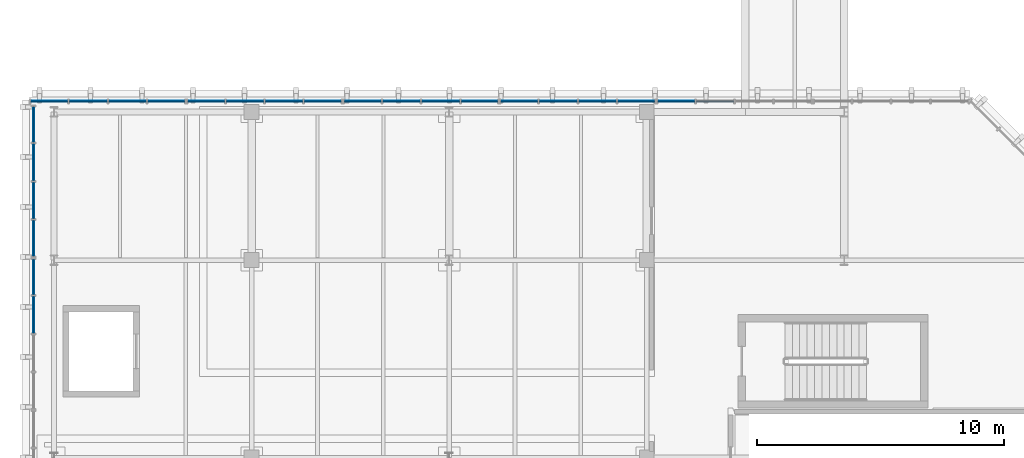
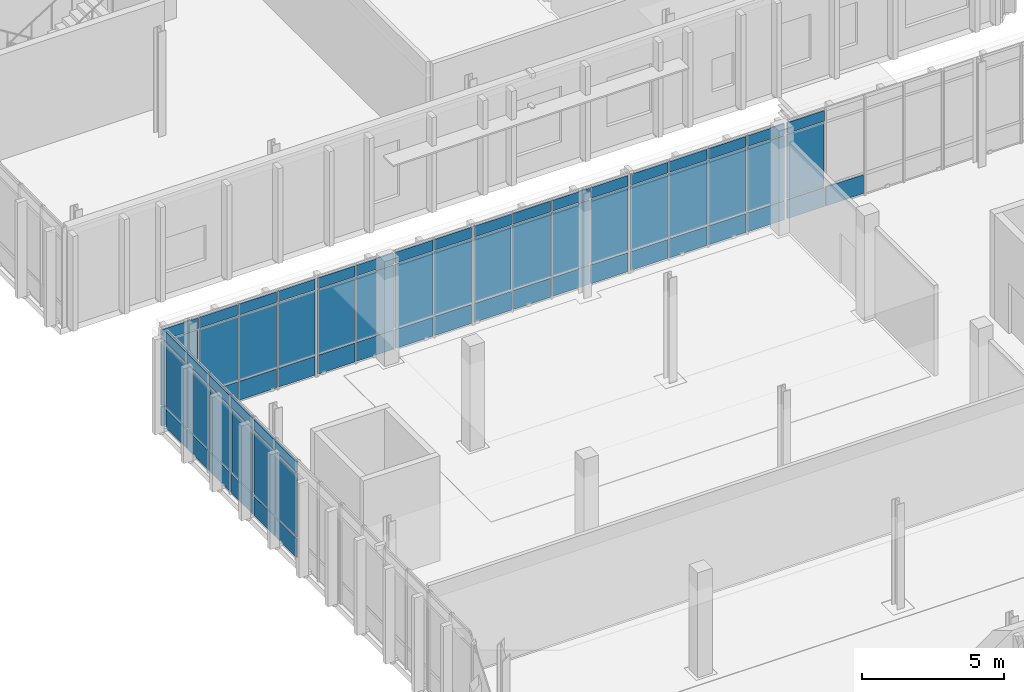
# One storey, part 32 of 62: 70 plates, 7 elements without a shape of their own.
"""IFC4 building model written with IfcOpenShell, lengths in metres."""

import ifcopenshell
import ifcopenshell.guid

model = None  # the IFC model being written
_history = None  # IfcOwnerHistory: only IFC2X3 demands one
_inside = {}  # id of a spatial element -> (the spatial element, [elements in it])
_under = {}  # id of a project, library or spatial element -> (it, [spatial elements below it])
_declared = {}  # id of a project -> (the project, [libraries it declares])
_typed = {}  # id of a type object -> (the type object, [elements of that type])
_made_of = {}  # id of a material, layer set ... -> (it, [elements and type objects made of it])


def new_model(schema):
    """Start an empty IFC model of exactly this schema.

    Asked for "IFC4X3", IfcOpenShell would pick the latest addendum, in which some entities
    have other attributes; the version numbers below select the first issue.
    IFC2X3 requires an IfcOwnerHistory on every rooted entity: one is made here for all.
    """
    global model, _history
    if schema == "IFC4X3":
        model = ifcopenshell.file(schema_version=(4, 3, 0, 0))
    else:
        model = ifcopenshell.file(schema=schema)
    _inside.clear()
    _under.clear()
    _declared.clear()
    _typed.clear()
    _made_of.clear()
    _history = None
    if model.schema == "IFC2X3":
        org = make("IfcOrganization", Name="unknown")
        user = make(
            "IfcPersonAndOrganization",
            ThePerson=make("IfcPerson", FamilyName="unknown"),
            TheOrganization=org,
        )
        app = make(
            "IfcApplication",
            ApplicationDeveloper=org,
            Version="unknown",
            ApplicationFullName="unknown",
            ApplicationIdentifier="unknown",
        )
        _history = make(
            "IfcOwnerHistory",
            OwningUser=user,
            OwningApplication=app,
            ChangeAction="ADDED",
            CreationDate=0,
        )
    return model


def make(cls, **values):
    """One entity of the class cls with the attributes given. An attribute that is None is left unset."""
    return model.create_entity(
        cls, **{name: value for name, value in values.items() if value is not None}
    )


def rooted(cls, **values):
    """An entity with a GlobalId (a new one), such as an element, a storey or a relation."""
    return make(cls, GlobalId=ifcopenshell.guid.new(), OwnerHistory=_history, **values)


def si_unit(unit_type, name, prefix=None):
    """IfcSIUnit, for example si_unit("LENGTHUNIT", "METRE", prefix="MILLI")."""
    return make("IfcSIUnit", UnitType=unit_type, Prefix=prefix, Name=name)


def assignment(units):
    """IfcUnitAssignment: the units of a project."""
    return None if units is None else make("IfcUnitAssignment", Units=units)


def point(xyz):
    """IfcCartesianPoint."""
    return None if xyz is None else make("IfcCartesianPoint", Coordinates=xyz)


def direction(xyz):
    """IfcDirection."""
    return None if xyz is None else make("IfcDirection", DirectionRatios=xyz)


def frame(location, z_axis=None, x_axis=None):
    """IfcAxis2Placement3D, a coordinate frame: its origin and axes. An axis left out is left unset."""
    return make(
        "IfcAxis2Placement3D",
        Location=point(location),
        Axis=direction(z_axis),
        RefDirection=direction(x_axis),
    )


def frame_2d(location, x_axis=None):
    """IfcAxis2Placement2D, a coordinate frame in the plane: its origin and x axis."""
    return make(
        "IfcAxis2Placement2D", Location=point(location), RefDirection=direction(x_axis)
    )


def origin():
    """The frame at (0, 0, 0) with its axes left unset."""
    return frame((0.0, 0.0, 0.0))


def origin_2d():
    """The frame at (0, 0) in the plane with its x axis left unset."""
    return frame_2d((0.0, 0.0))


def place(relative_to, where):
    """IfcLocalPlacement: puts the frame where relative to a parent placement (None: the world)."""
    return make(
        "IfcLocalPlacement", PlacementRelTo=relative_to, RelativePlacement=where
    )


def context(
    kind, dimensions, precision=None, world=None, true_north=None, identifier=None
):
    """IfcGeometricRepresentationContext, for example the 3D "Model" context."""
    return make(
        "IfcGeometricRepresentationContext",
        ContextIdentifier=identifier,
        ContextType=kind,
        CoordinateSpaceDimension=dimensions,
        Precision=precision,
        WorldCoordinateSystem=world,
        TrueNorth=true_north,
    )


def subcontext(parent, identifier, kind, view, scale=None):
    """IfcGeometricRepresentationSubContext, for example "Body" below "Model"."""
    return make(
        "IfcGeometricRepresentationSubContext",
        ContextIdentifier=identifier,
        ContextType=kind,
        ParentContext=parent,
        TargetScale=scale,
        TargetView=view,
    )


def project(units=None, contexts=None):
    """IfcProject with its units and contexts."""
    return rooted(
        "IfcProject",
        Name="project",
        RepresentationContexts=contexts,
        UnitsInContext=assignment(units),
    )


def spatial(cls, under=None, at=None, **own):
    """A site, building, storey or space (cls), placed at a placement, below another one or the project."""
    s = rooted(cls, ObjectPlacement=at, **own)
    if under is not None:
        _under.setdefault(under.id(), (under, []))[1].append(s)
    return s


def profile(cls, at=None, kind="AREA", **sizes):
    """A parametric profile (cls). Its sizes go by their IFC names, for example OverallWidth=200.0."""
    return make(cls, ProfileType=kind, Position=at, **sizes)


def rectangle(**sizes):
    """IfcRectangleProfileDef."""
    return profile("IfcRectangleProfileDef", **sizes)


def extrude(swept, where, along, depth):
    """IfcExtrudedAreaSolid: the profile swept, set in the frame where, extruded along a direction by depth."""
    return make(
        "IfcExtrudedAreaSolid",
        SweptArea=swept,
        Position=where,
        ExtrudedDirection=direction(along),
        Depth=depth,
    )


def shape(context_of_items, identifier, shape_type, items):
    """IfcShapeRepresentation: the items that make up one representation, for example the "Body"."""
    return make(
        "IfcShapeRepresentation",
        ContextOfItems=context_of_items,
        RepresentationIdentifier=identifier,
        RepresentationType=shape_type,
        Items=items,
    )


def material(Name=None, Category=None):
    """IfcMaterial."""
    return make("IfcMaterial", Name=Name, Category=Category)


def layer(
    of_material, thickness, ventilated=None, Name=None, Category=None, Priority=None
):
    """IfcMaterialLayer: one layer of a wall or slab, of a material (None: an air gap)."""
    return make(
        "IfcMaterialLayer",
        Material=of_material,
        LayerThickness=thickness,
        IsVentilated=ventilated,
        Name=Name,
        Category=Category,
        Priority=Priority,
    )


def layer_set(layers, Name=None):
    """IfcMaterialLayerSet."""
    return make("IfcMaterialLayerSet", MaterialLayers=layers, LayerSetName=Name)


def made_of(thing, what):
    """Note that an element or type object is made of a material, layer set ...; save() writes the relation."""
    if what is not None:
        _made_of.setdefault(what.id(), (what, []))[1].append(thing)
    return thing


def type_object(cls, material=None, **own):
    """A type object (cls), such as IfcWallType, which elements share."""
    return made_of(rooted(cls, **own), material)


def element(
    cls,
    number,
    at=None,
    inside=None,
    cuts=None,
    type_object=None,
    material=None,
    context=None,
    identifier="Body",
    shape_type=None,
    held_by="IfcProductDefinitionShape",
    body=None,
    shapes=None,
    **own,
):
    """One element of the class cls, such as IfcWall. Its Tag is "e" and its number.

    at: its placement. inside: the storey or other place that contains it. cuts: it is an
    opening in that element (IfcRelVoidsElement). A single representation is given by context,
    identifier, shape_type and body (its items); several are given by shapes. held_by: the class
    of the entity that holds the representations. save() writes the other relations.
    """
    e = rooted(cls, Tag="e%d" % number, ObjectPlacement=at, **own)
    if body is not None:
        shapes = [shape(context, identifier, shape_type, body)]
    if shapes is not None:
        e.Representation = make(held_by, Representations=shapes)
    if inside is not None:
        _inside.setdefault(inside.id(), (inside, []))[1].append(e)
    if cuts is not None:
        rooted(
            "IfcRelVoidsElement", RelatingBuildingElement=cuts, RelatedOpeningElement=e
        )
    if type_object is not None:
        _typed.setdefault(type_object.id(), (type_object, []))[1].append(e)
    return made_of(e, material)


def aggregate(whole, parts):
    """IfcRelAggregates: a whole, such as a stair, and the parts it consists of."""
    return rooted("IfcRelAggregates", RelatingObject=whole, RelatedObjects=parts)


def save(model, path):
    """Write the relations noted so far, then the file.

    IfcRelAggregates (storeys below a building ...), IfcRelContainedInSpatialStructure (elements
    in a storey), IfcRelDefinesByType, IfcRelAssociatesMaterial and IfcRelDeclares: one each for
    every whole, place, type object, material and project.
    """
    for whole, parts in _under.values():
        aggregate(whole, parts)
    for where, things in _inside.values():
        rooted(
            "IfcRelContainedInSpatialStructure",
            RelatedElements=things,
            RelatingStructure=where,
        )
    for kind, things in _typed.values():
        rooted("IfcRelDefinesByType", RelatedObjects=things, RelatingType=kind)
    for what, things in _made_of.values():
        rooted("IfcRelAssociatesMaterial", RelatedObjects=things, RelatingMaterial=what)
    for by, libraries in _declared.values():
        rooted("IfcRelDeclares", RelatingContext=by, RelatedDefinitions=libraries)
    model.write(path)


model = new_model("IFC4")

# Units and contexts
model_context = context("Model", 3, precision=1e-05, world=origin(), true_north=direction((0.0, 1.0)))
body_context = subcontext(model_context, "Body", "Model", "MODEL_VIEW")
ifc_project = project(units=[si_unit("LENGTHUNIT", "METRE"), si_unit("AREAUNIT", "SQUARE_METRE"), si_unit("VOLUMEUNIT", "CUBIC_METRE"), si_unit("PLANEANGLEUNIT", "RADIAN"), si_unit("MASSUNIT", "GRAM", prefix="KILO")], contexts=[model_context])

# Site, building, storey
site_placement = place(None, origin())
site = spatial("IfcSite", under=ifc_project, at=site_placement, CompositionType="ELEMENT")
building_placement = place(site_placement, origin())
building = spatial("IfcBuilding", under=site, at=building_placement, Name="Cymarion Research Institute", CompositionType="ELEMENT")
storey_placement = place(building_placement, frame((0.0, 0.0, 18.300048828125)))
storey = spatial("IfcBuildingStorey", under=building, at=storey_placement, Name="L04", CompositionType="ELEMENT", Elevation=18.300048828125)

# Curtain wall, plates
ifc_material_1 = material(Name="Anodised aluminium unitised curtain wall with Low-E glazing", Category="aluminium")
curtain_wall_type_1 = type_object("IfcCurtainWallType", Name="UNITISED CURTAIN WALL CW42 6350X4240", PredefinedType="NOTDEFINED", material=ifc_material_1)
curtain_wall_1_placement = place(storey_placement, origin())
curtain_wall_1 = element("IfcCurtainWall", 1, at=curtain_wall_1_placement, inside=storey, type_object=curtain_wall_type_1, Name="L04 V4 unitised curtain wall CW42 #183", PredefinedType="NOTDEFINED")
ifc_material_2 = material(Name="Insulated anodised aluminium spandrel panel", Category="aluminium")
ifc_layer_1 = layer(ifc_material_2, 0.06005859375)
ifc_layer_set_1 = layer_set([ifc_layer_1], Name="Insulated anodised aluminium spandrel panel")
plate_type_1 = type_object("IfcPlateType", Name="INSULATED ALUMINIUM SPANDREL PANEL SP01 60MM", PredefinedType="SHEET", material=ifc_layer_set_1)
plate_1_placement = place(storey_placement, frame((33.36474609375, 77.929931640625, 0.059814453125), z_axis=(0.0, 0.0, 1.0), x_axis=(-1.0, 0.0, 0.0)))
plate_1 = element("IfcPlate", 2, at=plate_1_placement, type_object=plate_type_1, Name="CW42 panel 3.1", PredefinedType="SHEET", context=body_context, shape_type="SweptSolid", body=[
    extrude(rectangle(XDim=1.526611328125, YDim=0.06005859375, at=origin_2d()), origin(), (0.0, 0.0, 1.0), 0.81005859375),
])
plate_2_placement = place(storey_placement, frame((31.79296875, 77.929931640625, 0.059814453125), z_axis=(0.0, 0.0, 1.0), x_axis=(-1.0, 0.0, 0.0)))
plate_2 = element("IfcPlate", 3, at=plate_2_placement, type_object=plate_type_1, Name="CW42 panel 4.1", PredefinedType="SHEET", context=body_context, shape_type="SweptSolid", body=[
    extrude(rectangle(XDim=1.49658203125, YDim=0.06005859375, at=origin_2d()), origin(), (0.0, 0.0, 1.0), 0.81005859375),
])
plate_3_placement = place(storey_placement, frame((31.79296875, 77.929931640625, 3.719970703125), z_axis=(0.0, 0.0, 1.0), x_axis=(-1.0, 0.0, 0.0)))
plate_3 = element("IfcPlate", 4, at=plate_3_placement, type_object=plate_type_1, Name="CW42 panel 4.3", PredefinedType="SHEET", context=body_context, shape_type="SweptSolid", body=[
    extrude(rectangle(XDim=1.49658203125, YDim=0.06005859375, at=origin_2d()), origin(), (0.0, 0.0, 1.0), 0.4599609375),
])

curtain_wall_2_placement = place(storey_placement, origin())
curtain_wall_2 = element("IfcCurtainWall", 5, at=curtain_wall_2_placement, inside=storey, type_object=curtain_wall_type_1, Name="L04 V4 unitised curtain wall CW42 #184", PredefinedType="NOTDEFINED")
plate_4_placement = place(storey_placement, frame((30.176513671875, 77.929931640625, 0.059814453125), z_axis=(0.0, 0.0, 1.0), x_axis=(-1.0, 0.0, 0.0)))
plate_4 = element("IfcPlate", 6, at=plate_4_placement, type_object=plate_type_1, Name="CW42 panel 1.1", PredefinedType="SHEET", context=body_context, shape_type="SweptSolid", body=[
    extrude(rectangle(XDim=1.49658203125, YDim=0.06005859375, at=origin_2d()), origin(), (0.0, 0.0, 1.0), 0.81005859375),
])
plate_5_placement = place(storey_placement, frame((30.176513671875, 77.929931640625, 3.719970703125), z_axis=(0.0, 0.0, 1.0), x_axis=(-1.0, 0.0, 0.0)))
plate_5 = element("IfcPlate", 7, at=plate_5_placement, type_object=plate_type_1, Name="CW42 panel 1.3", PredefinedType="SHEET", context=body_context, shape_type="SweptSolid", body=[
    extrude(rectangle(XDim=1.49658203125, YDim=0.06005859375, at=origin_2d()), origin(), (0.0, 0.0, 1.0), 0.4599609375),
])
plate_6_placement = place(storey_placement, frame((28.60498046875, 77.929931640625, 0.059814453125), z_axis=(0.0, 0.0, 1.0), x_axis=(-1.0, 0.0, 0.0)))
plate_6 = element("IfcPlate", 8, at=plate_6_placement, type_object=plate_type_1, Name="CW42 panel 2.1", PredefinedType="SHEET", context=body_context, shape_type="SweptSolid", body=[
    extrude(rectangle(XDim=1.526611328125, YDim=0.06005859375, at=origin_2d()), origin(), (0.0, 0.0, 1.0), 0.81005859375),
])
plate_7_placement = place(storey_placement, frame((28.60498046875, 77.929931640625, 3.719970703125), z_axis=(0.0, 0.0, 1.0), x_axis=(-1.0, 0.0, 0.0)))
plate_7 = element("IfcPlate", 9, at=plate_7_placement, type_object=plate_type_1, Name="CW42 panel 2.3", PredefinedType="SHEET", context=body_context, shape_type="SweptSolid", body=[
    extrude(rectangle(XDim=1.526611328125, YDim=0.06005859375, at=origin_2d()), origin(), (0.0, 0.0, 1.0), 0.4599609375),
])
plate_8_placement = place(storey_placement, frame((27.018310546875, 77.929931640625, 0.059814453125), z_axis=(0.0, 0.0, 1.0), x_axis=(-1.0, 0.0, 0.0)))
plate_8 = element("IfcPlate", 10, at=plate_8_placement, type_object=plate_type_1, Name="CW42 panel 3.1", PredefinedType="SHEET", context=body_context, shape_type="SweptSolid", body=[
    extrude(rectangle(XDim=1.526611328125, YDim=0.06005859375, at=origin_2d()), origin(), (0.0, 0.0, 1.0), 0.81005859375),
])
plate_9_placement = place(storey_placement, frame((27.018310546875, 77.929931640625, 3.719970703125), z_axis=(0.0, 0.0, 1.0), x_axis=(-1.0, 0.0, 0.0)))
plate_9 = element("IfcPlate", 11, at=plate_9_placement, type_object=plate_type_1, Name="CW42 panel 3.3", PredefinedType="SHEET", context=body_context, shape_type="SweptSolid", body=[
    extrude(rectangle(XDim=1.526611328125, YDim=0.06005859375, at=origin_2d()), origin(), (0.0, 0.0, 1.0), 0.4599609375),
])
plate_10_placement = place(storey_placement, frame((25.44677734375, 77.929931640625, 0.059814453125), z_axis=(0.0, 0.0, 1.0), x_axis=(-1.0, 0.0, 0.0)))
plate_10 = element("IfcPlate", 12, at=plate_10_placement, type_object=plate_type_1, Name="CW42 panel 4.1", PredefinedType="SHEET", context=body_context, shape_type="SweptSolid", body=[
    extrude(rectangle(XDim=1.49658203125, YDim=0.06005859375, at=origin_2d()), origin(), (0.0, 0.0, 1.0), 0.81005859375),
])
plate_11_placement = place(storey_placement, frame((25.44677734375, 77.929931640625, 3.719970703125), z_axis=(0.0, 0.0, 1.0), x_axis=(-1.0, 0.0, 0.0)))
plate_11 = element("IfcPlate", 13, at=plate_11_placement, type_object=plate_type_1, Name="CW42 panel 4.3", PredefinedType="SHEET", context=body_context, shape_type="SweptSolid", body=[
    extrude(rectangle(XDim=1.49658203125, YDim=0.06005859375, at=origin_2d()), origin(), (0.0, 0.0, 1.0), 0.4599609375),
])

curtain_wall_3_placement = place(storey_placement, origin())
curtain_wall_3 = element("IfcCurtainWall", 14, at=curtain_wall_3_placement, inside=storey, type_object=curtain_wall_type_1, Name="L04 V4 unitised curtain wall CW42 #185", PredefinedType="NOTDEFINED")
plate_12_placement = place(storey_placement, frame((23.830322265625, 77.929931640625, 0.059814453125), z_axis=(0.0, 0.0, 1.0), x_axis=(-1.0, 0.0, 0.0)))
plate_12 = element("IfcPlate", 15, at=plate_12_placement, type_object=plate_type_1, Name="CW42 panel 1.1", PredefinedType="SHEET", context=body_context, shape_type="SweptSolid", body=[
    extrude(rectangle(XDim=1.49658203125, YDim=0.06005859375, at=origin_2d()), origin(), (0.0, 0.0, 1.0), 0.81005859375),
])
plate_13_placement = place(storey_placement, frame((23.830322265625, 77.929931640625, 3.719970703125), z_axis=(0.0, 0.0, 1.0), x_axis=(-1.0, 0.0, 0.0)))
plate_13 = element("IfcPlate", 16, at=plate_13_placement, type_object=plate_type_1, Name="CW42 panel 1.3", PredefinedType="SHEET", context=body_context, shape_type="SweptSolid", body=[
    extrude(rectangle(XDim=1.49658203125, YDim=0.06005859375, at=origin_2d()), origin(), (0.0, 0.0, 1.0), 0.4599609375),
])
plate_14_placement = place(storey_placement, frame((22.2587890625, 77.929931640625, 0.059814453125), z_axis=(0.0, 0.0, 1.0), x_axis=(-1.0, 0.0, 0.0)))
plate_14 = element("IfcPlate", 17, at=plate_14_placement, type_object=plate_type_1, Name="CW42 panel 2.1", PredefinedType="SHEET", context=body_context, shape_type="SweptSolid", body=[
    extrude(rectangle(XDim=1.526611328125, YDim=0.06005859375, at=origin_2d()), origin(), (0.0, 0.0, 1.0), 0.81005859375),
])
plate_15_placement = place(storey_placement, frame((22.2587890625, 77.929931640625, 3.719970703125), z_axis=(0.0, 0.0, 1.0), x_axis=(-1.0, 0.0, 0.0)))
plate_15 = element("IfcPlate", 18, at=plate_15_placement, type_object=plate_type_1, Name="CW42 panel 2.3", PredefinedType="SHEET", context=body_context, shape_type="SweptSolid", body=[
    extrude(rectangle(XDim=1.526611328125, YDim=0.06005859375, at=origin_2d()), origin(), (0.0, 0.0, 1.0), 0.4599609375),
])
plate_16_placement = place(storey_placement, frame((20.672119140625, 77.929931640625, 0.059814453125), z_axis=(0.0, 0.0, 1.0), x_axis=(-1.0, 0.0, 0.0)))
plate_16 = element("IfcPlate", 19, at=plate_16_placement, type_object=plate_type_1, Name="CW42 panel 3.1", PredefinedType="SHEET", context=body_context, shape_type="SweptSolid", body=[
    extrude(rectangle(XDim=1.526611328125, YDim=0.06005859375, at=origin_2d()), origin(), (0.0, 0.0, 1.0), 0.81005859375),
])
plate_17_placement = place(storey_placement, frame((20.672119140625, 77.929931640625, 3.719970703125), z_axis=(0.0, 0.0, 1.0), x_axis=(-1.0, 0.0, 0.0)))
plate_17 = element("IfcPlate", 20, at=plate_17_placement, type_object=plate_type_1, Name="CW42 panel 3.3", PredefinedType="SHEET", context=body_context, shape_type="SweptSolid", body=[
    extrude(rectangle(XDim=1.526611328125, YDim=0.06005859375, at=origin_2d()), origin(), (0.0, 0.0, 1.0), 0.4599609375),
])
plate_18_placement = place(storey_placement, frame((19.1005859375, 77.929931640625, 0.059814453125), z_axis=(0.0, 0.0, 1.0), x_axis=(-1.0, 0.0, 0.0)))
plate_18 = element("IfcPlate", 21, at=plate_18_placement, type_object=plate_type_1, Name="CW42 panel 4.1", PredefinedType="SHEET", context=body_context, shape_type="SweptSolid", body=[
    extrude(rectangle(XDim=1.49658203125, YDim=0.06005859375, at=origin_2d()), origin(), (0.0, 0.0, 1.0), 0.81005859375),
])
plate_19_placement = place(storey_placement, frame((19.1005859375, 77.929931640625, 3.719970703125), z_axis=(0.0, 0.0, 1.0), x_axis=(-1.0, 0.0, 0.0)))
plate_19 = element("IfcPlate", 22, at=plate_19_placement, type_object=plate_type_1, Name="CW42 panel 4.3", PredefinedType="SHEET", context=body_context, shape_type="SweptSolid", body=[
    extrude(rectangle(XDim=1.49658203125, YDim=0.06005859375, at=origin_2d()), origin(), (0.0, 0.0, 1.0), 0.4599609375),
])

curtain_wall_4_placement = place(storey_placement, origin())
curtain_wall_4 = element("IfcCurtainWall", 23, at=curtain_wall_4_placement, inside=storey, type_object=curtain_wall_type_1, Name="L04 V4 unitised curtain wall CW42 #186", PredefinedType="NOTDEFINED")
plate_20_placement = place(storey_placement, frame((17.484130859375, 77.929931640625, 0.059814453125), z_axis=(0.0, 0.0, 1.0), x_axis=(-1.0, 0.0, 0.0)))
plate_20 = element("IfcPlate", 24, at=plate_20_placement, type_object=plate_type_1, Name="CW42 panel 1.1", PredefinedType="SHEET", context=body_context, shape_type="SweptSolid", body=[
    extrude(rectangle(XDim=1.49658203125, YDim=0.06005859375, at=origin_2d()), origin(), (0.0, 0.0, 1.0), 0.81005859375),
])
plate_21_placement = place(storey_placement, frame((17.484130859375, 77.929931640625, 3.719970703125), z_axis=(0.0, 0.0, 1.0), x_axis=(-1.0, 0.0, 0.0)))
plate_21 = element("IfcPlate", 25, at=plate_21_placement, type_object=plate_type_1, Name="CW42 panel 1.3", PredefinedType="SHEET", context=body_context, shape_type="SweptSolid", body=[
    extrude(rectangle(XDim=1.49658203125, YDim=0.06005859375, at=origin_2d()), origin(), (0.0, 0.0, 1.0), 0.4599609375),
])
plate_22_placement = place(storey_placement, frame((15.91259765625, 77.929931640625, 0.059814453125), z_axis=(0.0, 0.0, 1.0), x_axis=(-1.0, 0.0, 0.0)))
plate_22 = element("IfcPlate", 26, at=plate_22_placement, type_object=plate_type_1, Name="CW42 panel 2.1", PredefinedType="SHEET", context=body_context, shape_type="SweptSolid", body=[
    extrude(rectangle(XDim=1.526611328125, YDim=0.06005859375, at=origin_2d()), origin(), (0.0, 0.0, 1.0), 0.81005859375),
])
plate_23_placement = place(storey_placement, frame((15.91259765625, 77.929931640625, 3.719970703125), z_axis=(0.0, 0.0, 1.0), x_axis=(-1.0, 0.0, 0.0)))
plate_23 = element("IfcPlate", 27, at=plate_23_placement, type_object=plate_type_1, Name="CW42 panel 2.3", PredefinedType="SHEET", context=body_context, shape_type="SweptSolid", body=[
    extrude(rectangle(XDim=1.526611328125, YDim=0.06005859375, at=origin_2d()), origin(), (0.0, 0.0, 1.0), 0.4599609375),
])
plate_24_placement = place(storey_placement, frame((14.325927734375, 77.929931640625, 0.059814453125), z_axis=(0.0, 0.0, 1.0), x_axis=(-1.0, 0.0, 0.0)))
plate_24 = element("IfcPlate", 28, at=plate_24_placement, type_object=plate_type_1, Name="CW42 panel 3.1", PredefinedType="SHEET", context=body_context, shape_type="SweptSolid", body=[
    extrude(rectangle(XDim=1.526611328125, YDim=0.06005859375, at=origin_2d()), origin(), (0.0, 0.0, 1.0), 0.81005859375),
])
plate_25_placement = place(storey_placement, frame((14.325927734375, 77.929931640625, 3.719970703125), z_axis=(0.0, 0.0, 1.0), x_axis=(-1.0, 0.0, 0.0)))
plate_25 = element("IfcPlate", 29, at=plate_25_placement, type_object=plate_type_1, Name="CW42 panel 3.3", PredefinedType="SHEET", context=body_context, shape_type="SweptSolid", body=[
    extrude(rectangle(XDim=1.526611328125, YDim=0.06005859375, at=origin_2d()), origin(), (0.0, 0.0, 1.0), 0.4599609375),
])
plate_26_placement = place(storey_placement, frame((12.75439453125, 77.929931640625, 0.059814453125), z_axis=(0.0, 0.0, 1.0), x_axis=(-1.0, 0.0, 0.0)))
plate_26 = element("IfcPlate", 30, at=plate_26_placement, type_object=plate_type_1, Name="CW42 panel 4.1", PredefinedType="SHEET", context=body_context, shape_type="SweptSolid", body=[
    extrude(rectangle(XDim=1.49658203125, YDim=0.06005859375, at=origin_2d()), origin(), (0.0, 0.0, 1.0), 0.81005859375),
])
plate_27_placement = place(storey_placement, frame((12.75439453125, 77.929931640625, 3.719970703125), z_axis=(0.0, 0.0, 1.0), x_axis=(-1.0, 0.0, 0.0)))
plate_27 = element("IfcPlate", 31, at=plate_27_placement, type_object=plate_type_1, Name="CW42 panel 4.3", PredefinedType="SHEET", context=body_context, shape_type="SweptSolid", body=[
    extrude(rectangle(XDim=1.49658203125, YDim=0.06005859375, at=origin_2d()), origin(), (0.0, 0.0, 1.0), 0.4599609375),
])

curtain_wall_5_placement = place(storey_placement, origin())
curtain_wall_5 = element("IfcCurtainWall", 32, at=curtain_wall_5_placement, inside=storey, type_object=curtain_wall_type_1, Name="L04 V4 unitised curtain wall CW42 #187", PredefinedType="NOTDEFINED")
plate_28_placement = place(storey_placement, frame((11.137939453125, 77.929931640625, 0.059814453125), z_axis=(0.0, 0.0, 1.0), x_axis=(-1.0, 0.0, 0.0)))
plate_28 = element("IfcPlate", 33, at=plate_28_placement, type_object=plate_type_1, Name="CW42 panel 1.1", PredefinedType="SHEET", context=body_context, shape_type="SweptSolid", body=[
    extrude(rectangle(XDim=1.49658203125, YDim=0.06005859375, at=origin_2d()), origin(), (0.0, 0.0, 1.0), 0.81005859375),
])
plate_29_placement = place(storey_placement, frame((11.137939453125, 77.929931640625, 3.719970703125), z_axis=(0.0, 0.0, 1.0), x_axis=(-1.0, 0.0, 0.0)))
plate_29 = element("IfcPlate", 34, at=plate_29_placement, type_object=plate_type_1, Name="CW42 panel 1.3", PredefinedType="SHEET", context=body_context, shape_type="SweptSolid", body=[
    extrude(rectangle(XDim=1.49658203125, YDim=0.06005859375, at=origin_2d()), origin(), (0.0, 0.0, 1.0), 0.4599609375),
])
plate_30_placement = place(storey_placement, frame((9.56640625, 77.929931640625, 0.059814453125), z_axis=(0.0, 0.0, 1.0), x_axis=(-1.0, 0.0, 0.0)))
plate_30 = element("IfcPlate", 35, at=plate_30_placement, type_object=plate_type_1, Name="CW42 panel 2.1", PredefinedType="SHEET", context=body_context, shape_type="SweptSolid", body=[
    extrude(rectangle(XDim=1.526611328125, YDim=0.06005859375, at=origin_2d()), origin(), (0.0, 0.0, 1.0), 0.81005859375),
])
plate_31_placement = place(storey_placement, frame((9.56640625, 77.929931640625, 3.719970703125), z_axis=(0.0, 0.0, 1.0), x_axis=(-1.0, 0.0, 0.0)))
plate_31 = element("IfcPlate", 36, at=plate_31_placement, type_object=plate_type_1, Name="CW42 panel 2.3", PredefinedType="SHEET", context=body_context, shape_type="SweptSolid", body=[
    extrude(rectangle(XDim=1.526611328125, YDim=0.06005859375, at=origin_2d()), origin(), (0.0, 0.0, 1.0), 0.4599609375),
])
plate_32_placement = place(storey_placement, frame((7.979736328125, 77.929931640625, 0.059814453125), z_axis=(0.0, 0.0, 1.0), x_axis=(-1.0, 0.0, 0.0)))
plate_32 = element("IfcPlate", 37, at=plate_32_placement, type_object=plate_type_1, Name="CW42 panel 3.1", PredefinedType="SHEET", context=body_context, shape_type="SweptSolid", body=[
    extrude(rectangle(XDim=1.526611328125, YDim=0.06005859375, at=origin_2d()), origin(), (0.0, 0.0, 1.0), 0.81005859375),
])
plate_33_placement = place(storey_placement, frame((7.979736328125, 77.929931640625, 3.719970703125), z_axis=(0.0, 0.0, 1.0), x_axis=(-1.0, 0.0, 0.0)))
plate_33 = element("IfcPlate", 38, at=plate_33_placement, type_object=plate_type_1, Name="CW42 panel 3.3", PredefinedType="SHEET", context=body_context, shape_type="SweptSolid", body=[
    extrude(rectangle(XDim=1.526611328125, YDim=0.06005859375, at=origin_2d()), origin(), (0.0, 0.0, 1.0), 0.4599609375),
])
plate_34_placement = place(storey_placement, frame((6.408203125, 77.929931640625, 0.059814453125), z_axis=(0.0, 0.0, 1.0), x_axis=(-1.0, 0.0, 0.0)))
plate_34 = element("IfcPlate", 39, at=plate_34_placement, type_object=plate_type_1, Name="CW42 panel 4.1", PredefinedType="SHEET", context=body_context, shape_type="SweptSolid", body=[
    extrude(rectangle(XDim=1.49658203125, YDim=0.06005859375, at=origin_2d()), origin(), (0.0, 0.0, 1.0), 0.81005859375),
])
plate_35_placement = place(storey_placement, frame((6.408203125, 77.929931640625, 3.719970703125), z_axis=(0.0, 0.0, 1.0), x_axis=(-1.0, 0.0, 0.0)))
plate_35 = element("IfcPlate", 40, at=plate_35_placement, type_object=plate_type_1, Name="CW42 panel 4.3", PredefinedType="SHEET", context=body_context, shape_type="SweptSolid", body=[
    extrude(rectangle(XDim=1.49658203125, YDim=0.06005859375, at=origin_2d()), origin(), (0.0, 0.0, 1.0), 0.4599609375),
])

curtain_wall_type_2 = type_object("IfcCurtainWallType", Name="UNITISED CURTAIN WALL CW43 6180X4240", PredefinedType="NOTDEFINED", material=ifc_material_1)
curtain_wall_6_placement = place(storey_placement, origin())
curtain_wall_6 = element("IfcCurtainWall", 41, at=curtain_wall_6_placement, inside=storey, type_object=curtain_wall_type_2, Name="L04 V4 unitised curtain wall CW43 #188", PredefinedType="NOTDEFINED")
plate_36_placement = place(storey_placement, frame((5.77001953125, 76.990966796875, 0.059814453125), z_axis=(0.0, 0.0, 1.0), x_axis=(0.0, -1.0, 0.0)))
plate_36 = element("IfcPlate", 42, at=plate_36_placement, type_object=plate_type_1, Name="CW43 panel 1.1", PredefinedType="SHEET", context=body_context, shape_type="SweptSolid", body=[
    extrude(rectangle(XDim=1.453857421875, YDim=0.06005859375, at=origin_2d()), origin(), (0.0, 0.0, 1.0), 0.81005859375),
])
plate_37_placement = place(storey_placement, frame((5.77001953125, 76.990966796875, 3.719970703125), z_axis=(0.0, 0.0, 1.0), x_axis=(0.0, -1.0, 0.0)))
plate_37 = element("IfcPlate", 43, at=plate_37_placement, type_object=plate_type_1, Name="CW43 panel 1.3", PredefinedType="SHEET", context=body_context, shape_type="SweptSolid", body=[
    extrude(rectangle(XDim=1.453857421875, YDim=0.06005859375, at=origin_2d()), origin(), (0.0, 0.0, 1.0), 0.4599609375),
])
plate_38_placement = place(storey_placement, frame((5.77001953125, 75.462158203125, 0.059814453125), z_axis=(0.0, 0.0, 1.0), x_axis=(0.0, -1.0, 0.0)))
plate_38 = element("IfcPlate", 44, at=plate_38_placement, type_object=plate_type_1, Name="CW43 panel 2.1", PredefinedType="SHEET", context=body_context, shape_type="SweptSolid", body=[
    extrude(rectangle(XDim=1.48388671875, YDim=0.06005859375, at=origin_2d()), origin(), (0.0, 0.0, 1.0), 0.81005859375),
])
plate_39_placement = place(storey_placement, frame((5.77001953125, 75.462158203125, 3.719970703125), z_axis=(0.0, 0.0, 1.0), x_axis=(0.0, -1.0, 0.0)))
plate_39 = element("IfcPlate", 45, at=plate_39_placement, type_object=plate_type_1, Name="CW43 panel 2.3", PredefinedType="SHEET", context=body_context, shape_type="SweptSolid", body=[
    extrude(rectangle(XDim=1.48388671875, YDim=0.06005859375, at=origin_2d()), origin(), (0.0, 0.0, 1.0), 0.4599609375),
])
plate_40_placement = place(storey_placement, frame((5.77001953125, 73.918212890625, 0.059814453125), z_axis=(0.0, 0.0, 1.0), x_axis=(0.0, -1.0, 0.0)))
plate_40 = element("IfcPlate", 46, at=plate_40_placement, type_object=plate_type_1, Name="CW43 panel 3.1", PredefinedType="SHEET", context=body_context, shape_type="SweptSolid", body=[
    extrude(rectangle(XDim=1.48388671875, YDim=0.06005859375, at=origin_2d()), origin(), (0.0, 0.0, 1.0), 0.81005859375),
])
plate_41_placement = place(storey_placement, frame((5.77001953125, 73.918212890625, 3.719970703125), z_axis=(0.0, 0.0, 1.0), x_axis=(0.0, -1.0, 0.0)))
plate_41 = element("IfcPlate", 47, at=plate_41_placement, type_object=plate_type_1, Name="CW43 panel 3.3", PredefinedType="SHEET", context=body_context, shape_type="SweptSolid", body=[
    extrude(rectangle(XDim=1.48388671875, YDim=0.06005859375, at=origin_2d()), origin(), (0.0, 0.0, 1.0), 0.4599609375),
])
plate_42_placement = place(storey_placement, frame((5.77001953125, 72.389404296875, 0.059814453125), z_axis=(0.0, 0.0, 1.0), x_axis=(0.0, -1.0, 0.0)))
plate_42 = element("IfcPlate", 48, at=plate_42_placement, type_object=plate_type_1, Name="CW43 panel 4.1", PredefinedType="SHEET", context=body_context, shape_type="SweptSolid", body=[
    extrude(rectangle(XDim=1.453857421875, YDim=0.06005859375, at=origin_2d()), origin(), (0.0, 0.0, 1.0), 0.81005859375),
])
plate_43_placement = place(storey_placement, frame((5.77001953125, 72.389404296875, 3.719970703125), z_axis=(0.0, 0.0, 1.0), x_axis=(0.0, -1.0, 0.0)))
plate_43 = element("IfcPlate", 49, at=plate_43_placement, type_object=plate_type_1, Name="CW43 panel 4.3", PredefinedType="SHEET", context=body_context, shape_type="SweptSolid", body=[
    extrude(rectangle(XDim=1.453857421875, YDim=0.06005859375, at=origin_2d()), origin(), (0.0, 0.0, 1.0), 0.4599609375),
])

curtain_wall_7_placement = place(storey_placement, origin())
curtain_wall_7 = element("IfcCurtainWall", 50, at=curtain_wall_7_placement, inside=storey, type_object=curtain_wall_type_2, Name="L04 V4 unitised curtain wall CW43 #189", PredefinedType="NOTDEFINED")
plate_44_placement = place(storey_placement, frame((5.77001953125, 70.8154296875, 0.059814453125), z_axis=(0.0, 0.0, 1.0), x_axis=(0.0, -1.0, 0.0)))
plate_44 = element("IfcPlate", 51, at=plate_44_placement, type_object=plate_type_1, Name="CW43 panel 1.1", PredefinedType="SHEET", context=body_context, shape_type="SweptSolid", body=[
    extrude(rectangle(XDim=1.453857421875, YDim=0.06005859375, at=origin_2d()), origin(), (0.0, 0.0, 1.0), 0.81005859375),
])
plate_45_placement = place(storey_placement, frame((5.77001953125, 70.8154296875, 3.719970703125), z_axis=(0.0, 0.0, 1.0), x_axis=(0.0, -1.0, 0.0)))
plate_45 = element("IfcPlate", 52, at=plate_45_placement, type_object=plate_type_1, Name="CW43 panel 1.3", PredefinedType="SHEET", context=body_context, shape_type="SweptSolid", body=[
    extrude(rectangle(XDim=1.453857421875, YDim=0.06005859375, at=origin_2d()), origin(), (0.0, 0.0, 1.0), 0.4599609375),
])
plate_46_placement = place(storey_placement, frame((5.77001953125, 69.28662109375, 0.059814453125), z_axis=(0.0, 0.0, 1.0), x_axis=(0.0, -1.0, 0.0)))
plate_46 = element("IfcPlate", 53, at=plate_46_placement, type_object=plate_type_1, Name="CW43 panel 2.1", PredefinedType="SHEET", context=body_context, shape_type="SweptSolid", body=[
    extrude(rectangle(XDim=1.48388671875, YDim=0.06005859375, at=origin_2d()), origin(), (0.0, 0.0, 1.0), 0.81005859375),
])
plate_47_placement = place(storey_placement, frame((5.77001953125, 69.28662109375, 3.719970703125), z_axis=(0.0, 0.0, 1.0), x_axis=(0.0, -1.0, 0.0)))
plate_47 = element("IfcPlate", 54, at=plate_47_placement, type_object=plate_type_1, Name="CW43 panel 2.3", PredefinedType="SHEET", context=body_context, shape_type="SweptSolid", body=[
    extrude(rectangle(XDim=1.48388671875, YDim=0.06005859375, at=origin_2d()), origin(), (0.0, 0.0, 1.0), 0.4599609375),
])

# Plate
ifc_material_3 = material(Name="Low-E double solar-control glazing", Category="glass")
ifc_layer_2 = layer(ifc_material_3, 0.035888671875)
ifc_layer_set_2 = layer_set([ifc_layer_2], Name="Low-E double solar-control glazing")
plate_type_2 = type_object("IfcPlateType", Name="SOLAR CONTROL GLAZED VISION PANEL GP01 36MM", PredefinedType="CURTAIN_PANEL", material=ifc_layer_set_2)
plate_48_placement = place(storey_placement, frame((31.79296875, 77.929931640625, 0.929931640625), z_axis=(0.0, 0.0, 1.0), x_axis=(-1.0, 0.0, 0.0)))
plate_48 = element("IfcPlate", 55, at=plate_48_placement, type_object=plate_type_2, Name="CW42 panel 4.2", PredefinedType="CURTAIN_PANEL", context=body_context, shape_type="SweptSolid", body=[
    extrude(rectangle(XDim=1.49658203125, YDim=0.035888671875, at=origin_2d()), origin(), (0.0, 0.0, 1.0), 2.72998046875),
])

aggregate(curtain_wall_1, [plate_1, plate_2, plate_48, plate_3])

plate_49_placement = place(storey_placement, frame((30.176513671875, 77.929931640625, 0.929931640625), z_axis=(0.0, 0.0, 1.0), x_axis=(-1.0, 0.0, 0.0)))
plate_49 = element("IfcPlate", 56, at=plate_49_placement, type_object=plate_type_2, Name="CW42 panel 1.2", PredefinedType="CURTAIN_PANEL", context=body_context, shape_type="SweptSolid", body=[
    extrude(rectangle(XDim=1.49658203125, YDim=0.035888671875, at=origin_2d()), origin(), (0.0, 0.0, 1.0), 2.72998046875),
])

plate_50_placement = place(storey_placement, frame((28.60498046875, 77.929931640625, 0.929931640625), z_axis=(0.0, 0.0, 1.0), x_axis=(-1.0, 0.0, 0.0)))
plate_50 = element("IfcPlate", 57, at=plate_50_placement, type_object=plate_type_2, Name="CW42 panel 2.2", PredefinedType="CURTAIN_PANEL", context=body_context, shape_type="SweptSolid", body=[
    extrude(rectangle(XDim=1.526611328125, YDim=0.035888671875, at=origin_2d()), origin(), (0.0, 0.0, 1.0), 2.72998046875),
])

plate_51_placement = place(storey_placement, frame((27.018310546875, 77.929931640625, 0.929931640625), z_axis=(0.0, 0.0, 1.0), x_axis=(-1.0, 0.0, 0.0)))
plate_51 = element("IfcPlate", 58, at=plate_51_placement, type_object=plate_type_2, Name="CW42 panel 3.2", PredefinedType="CURTAIN_PANEL", context=body_context, shape_type="SweptSolid", body=[
    extrude(rectangle(XDim=1.526611328125, YDim=0.035888671875, at=origin_2d()), origin(), (0.0, 0.0, 1.0), 2.72998046875),
])

plate_52_placement = place(storey_placement, frame((25.44677734375, 77.929931640625, 0.929931640625), z_axis=(0.0, 0.0, 1.0), x_axis=(-1.0, 0.0, 0.0)))
plate_52 = element("IfcPlate", 59, at=plate_52_placement, type_object=plate_type_2, Name="CW42 panel 4.2", PredefinedType="CURTAIN_PANEL", context=body_context, shape_type="SweptSolid", body=[
    extrude(rectangle(XDim=1.49658203125, YDim=0.035888671875, at=origin_2d()), origin(), (0.0, 0.0, 1.0), 2.72998046875),
])

aggregate(curtain_wall_2, [plate_4, plate_49, plate_5, plate_6, plate_50, plate_7, plate_8, plate_51, plate_9, plate_10, plate_52, plate_11])

plate_53_placement = place(storey_placement, frame((23.830322265625, 77.929931640625, 0.929931640625), z_axis=(0.0, 0.0, 1.0), x_axis=(-1.0, 0.0, 0.0)))
plate_53 = element("IfcPlate", 60, at=plate_53_placement, type_object=plate_type_2, Name="CW42 panel 1.2", PredefinedType="CURTAIN_PANEL", context=body_context, shape_type="SweptSolid", body=[
    extrude(rectangle(XDim=1.49658203125, YDim=0.035888671875, at=origin_2d()), origin(), (0.0, 0.0, 1.0), 2.72998046875),
])

plate_54_placement = place(storey_placement, frame((22.2587890625, 77.929931640625, 0.929931640625), z_axis=(0.0, 0.0, 1.0), x_axis=(-1.0, 0.0, 0.0)))
plate_54 = element("IfcPlate", 61, at=plate_54_placement, type_object=plate_type_2, Name="CW42 panel 2.2", PredefinedType="CURTAIN_PANEL", context=body_context, shape_type="SweptSolid", body=[
    extrude(rectangle(XDim=1.526611328125, YDim=0.035888671875, at=origin_2d()), origin(), (0.0, 0.0, 1.0), 2.72998046875),
])

plate_55_placement = place(storey_placement, frame((20.672119140625, 77.929931640625, 0.929931640625), z_axis=(0.0, 0.0, 1.0), x_axis=(-1.0, 0.0, 0.0)))
plate_55 = element("IfcPlate", 62, at=plate_55_placement, type_object=plate_type_2, Name="CW42 panel 3.2", PredefinedType="CURTAIN_PANEL", context=body_context, shape_type="SweptSolid", body=[
    extrude(rectangle(XDim=1.526611328125, YDim=0.035888671875, at=origin_2d()), origin(), (0.0, 0.0, 1.0), 2.72998046875),
])

plate_56_placement = place(storey_placement, frame((19.1005859375, 77.929931640625, 0.929931640625), z_axis=(0.0, 0.0, 1.0), x_axis=(-1.0, 0.0, 0.0)))
plate_56 = element("IfcPlate", 63, at=plate_56_placement, type_object=plate_type_2, Name="CW42 panel 4.2", PredefinedType="CURTAIN_PANEL", context=body_context, shape_type="SweptSolid", body=[
    extrude(rectangle(XDim=1.49658203125, YDim=0.035888671875, at=origin_2d()), origin(), (0.0, 0.0, 1.0), 2.72998046875),
])

aggregate(curtain_wall_3, [plate_12, plate_53, plate_13, plate_14, plate_54, plate_15, plate_16, plate_55, plate_17, plate_18, plate_56, plate_19])

plate_57_placement = place(storey_placement, frame((17.484130859375, 77.929931640625, 0.929931640625), z_axis=(0.0, 0.0, 1.0), x_axis=(-1.0, 0.0, 0.0)))
plate_57 = element("IfcPlate", 64, at=plate_57_placement, type_object=plate_type_2, Name="CW42 panel 1.2", PredefinedType="CURTAIN_PANEL", context=body_context, shape_type="SweptSolid", body=[
    extrude(rectangle(XDim=1.49658203125, YDim=0.035888671875, at=origin_2d()), origin(), (0.0, 0.0, 1.0), 2.72998046875),
])

plate_58_placement = place(storey_placement, frame((15.91259765625, 77.929931640625, 0.929931640625), z_axis=(0.0, 0.0, 1.0), x_axis=(-1.0, 0.0, 0.0)))
plate_58 = element("IfcPlate", 65, at=plate_58_placement, type_object=plate_type_2, Name="CW42 panel 2.2", PredefinedType="CURTAIN_PANEL", context=body_context, shape_type="SweptSolid", body=[
    extrude(rectangle(XDim=1.526611328125, YDim=0.035888671875, at=origin_2d()), origin(), (0.0, 0.0, 1.0), 2.72998046875),
])

plate_59_placement = place(storey_placement, frame((14.325927734375, 77.929931640625, 0.929931640625), z_axis=(0.0, 0.0, 1.0), x_axis=(-1.0, 0.0, 0.0)))
plate_59 = element("IfcPlate", 66, at=plate_59_placement, type_object=plate_type_2, Name="CW42 panel 3.2", PredefinedType="CURTAIN_PANEL", context=body_context, shape_type="SweptSolid", body=[
    extrude(rectangle(XDim=1.526611328125, YDim=0.035888671875, at=origin_2d()), origin(), (0.0, 0.0, 1.0), 2.72998046875),
])

plate_60_placement = place(storey_placement, frame((12.75439453125, 77.929931640625, 0.929931640625), z_axis=(0.0, 0.0, 1.0), x_axis=(-1.0, 0.0, 0.0)))
plate_60 = element("IfcPlate", 67, at=plate_60_placement, type_object=plate_type_2, Name="CW42 panel 4.2", PredefinedType="CURTAIN_PANEL", context=body_context, shape_type="SweptSolid", body=[
    extrude(rectangle(XDim=1.49658203125, YDim=0.035888671875, at=origin_2d()), origin(), (0.0, 0.0, 1.0), 2.72998046875),
])

aggregate(curtain_wall_4, [plate_20, plate_57, plate_21, plate_22, plate_58, plate_23, plate_24, plate_59, plate_25, plate_26, plate_60, plate_27])

plate_61_placement = place(storey_placement, frame((11.137939453125, 77.929931640625, 0.929931640625), z_axis=(0.0, 0.0, 1.0), x_axis=(-1.0, 0.0, 0.0)))
plate_61 = element("IfcPlate", 68, at=plate_61_placement, type_object=plate_type_2, Name="CW42 panel 1.2", PredefinedType="CURTAIN_PANEL", context=body_context, shape_type="SweptSolid", body=[
    extrude(rectangle(XDim=1.49658203125, YDim=0.035888671875, at=origin_2d()), origin(), (0.0, 0.0, 1.0), 2.72998046875),
])

plate_62_placement = place(storey_placement, frame((9.56640625, 77.929931640625, 0.929931640625), z_axis=(0.0, 0.0, 1.0), x_axis=(-1.0, 0.0, 0.0)))
plate_62 = element("IfcPlate", 69, at=plate_62_placement, type_object=plate_type_2, Name="CW42 panel 2.2", PredefinedType="CURTAIN_PANEL", context=body_context, shape_type="SweptSolid", body=[
    extrude(rectangle(XDim=1.526611328125, YDim=0.035888671875, at=origin_2d()), origin(), (0.0, 0.0, 1.0), 2.72998046875),
])

plate_63_placement = place(storey_placement, frame((7.979736328125, 77.929931640625, 0.929931640625), z_axis=(0.0, 0.0, 1.0), x_axis=(-1.0, 0.0, 0.0)))
plate_63 = element("IfcPlate", 70, at=plate_63_placement, type_object=plate_type_2, Name="CW42 panel 3.2", PredefinedType="CURTAIN_PANEL", context=body_context, shape_type="SweptSolid", body=[
    extrude(rectangle(XDim=1.526611328125, YDim=0.035888671875, at=origin_2d()), origin(), (0.0, 0.0, 1.0), 2.72998046875),
])

plate_64_placement = place(storey_placement, frame((6.408203125, 77.929931640625, 0.929931640625), z_axis=(0.0, 0.0, 1.0), x_axis=(-1.0, 0.0, 0.0)))
plate_64 = element("IfcPlate", 71, at=plate_64_placement, type_object=plate_type_2, Name="CW42 panel 4.2", PredefinedType="CURTAIN_PANEL", context=body_context, shape_type="SweptSolid", body=[
    extrude(rectangle(XDim=1.49658203125, YDim=0.035888671875, at=origin_2d()), origin(), (0.0, 0.0, 1.0), 2.72998046875),
])

aggregate(curtain_wall_5, [plate_28, plate_61, plate_29, plate_30, plate_62, plate_31, plate_32, plate_63, plate_33, plate_34, plate_64, plate_35])

plate_65_placement = place(storey_placement, frame((5.77001953125, 76.990966796875, 0.929931640625), z_axis=(0.0, 0.0, 1.0), x_axis=(0.0, -1.0, 0.0)))
plate_65 = element("IfcPlate", 72, at=plate_65_placement, type_object=plate_type_2, Name="CW43 panel 1.2", PredefinedType="CURTAIN_PANEL", context=body_context, shape_type="SweptSolid", body=[
    extrude(rectangle(XDim=1.453857421875, YDim=0.035888671875, at=origin_2d()), origin(), (0.0, 0.0, 1.0), 2.72998046875),
])

plate_66_placement = place(storey_placement, frame((5.77001953125, 75.462158203125, 0.929931640625), z_axis=(0.0, 0.0, 1.0), x_axis=(0.0, -1.0, 0.0)))
plate_66 = element("IfcPlate", 73, at=plate_66_placement, type_object=plate_type_2, Name="CW43 panel 2.2", PredefinedType="CURTAIN_PANEL", context=body_context, shape_type="SweptSolid", body=[
    extrude(rectangle(XDim=1.48388671875, YDim=0.035888671875, at=origin_2d()), origin(), (0.0, 0.0, 1.0), 2.72998046875),
])

plate_67_placement = place(storey_placement, frame((5.77001953125, 73.918212890625, 0.929931640625), z_axis=(0.0, 0.0, 1.0), x_axis=(0.0, -1.0, 0.0)))
plate_67 = element("IfcPlate", 74, at=plate_67_placement, type_object=plate_type_2, Name="CW43 panel 3.2", PredefinedType="CURTAIN_PANEL", context=body_context, shape_type="SweptSolid", body=[
    extrude(rectangle(XDim=1.48388671875, YDim=0.035888671875, at=origin_2d()), origin(), (0.0, 0.0, 1.0), 2.72998046875),
])

plate_68_placement = place(storey_placement, frame((5.77001953125, 72.389404296875, 0.929931640625), z_axis=(0.0, 0.0, 1.0), x_axis=(0.0, -1.0, 0.0)))
plate_68 = element("IfcPlate", 75, at=plate_68_placement, type_object=plate_type_2, Name="CW43 panel 4.2", PredefinedType="CURTAIN_PANEL", context=body_context, shape_type="SweptSolid", body=[
    extrude(rectangle(XDim=1.453857421875, YDim=0.035888671875, at=origin_2d()), origin(), (0.0, 0.0, 1.0), 2.72998046875),
])

aggregate(curtain_wall_6, [plate_36, plate_65, plate_37, plate_38, plate_66, plate_39, plate_40, plate_67, plate_41, plate_42, plate_68, plate_43])

plate_69_placement = place(storey_placement, frame((5.77001953125, 70.8154296875, 0.929931640625), z_axis=(0.0, 0.0, 1.0), x_axis=(0.0, -1.0, 0.0)))
plate_69 = element("IfcPlate", 76, at=plate_69_placement, type_object=plate_type_2, Name="CW43 panel 1.2", PredefinedType="CURTAIN_PANEL", context=body_context, shape_type="SweptSolid", body=[
    extrude(rectangle(XDim=1.453857421875, YDim=0.035888671875, at=origin_2d()), origin(), (0.0, 0.0, 1.0), 2.72998046875),
])

plate_70_placement = place(storey_placement, frame((5.77001953125, 69.28662109375, 0.929931640625), z_axis=(0.0, 0.0, 1.0), x_axis=(0.0, -1.0, 0.0)))
plate_70 = element("IfcPlate", 77, at=plate_70_placement, type_object=plate_type_2, Name="CW43 panel 2.2", PredefinedType="CURTAIN_PANEL", context=body_context, shape_type="SweptSolid", body=[
    extrude(rectangle(XDim=1.48388671875, YDim=0.035888671875, at=origin_2d()), origin(), (0.0, 0.0, 1.0), 2.72998046875),
])

aggregate(curtain_wall_7, [plate_44, plate_69, plate_45, plate_46, plate_70, plate_47])

save(model, "model.ifc")
